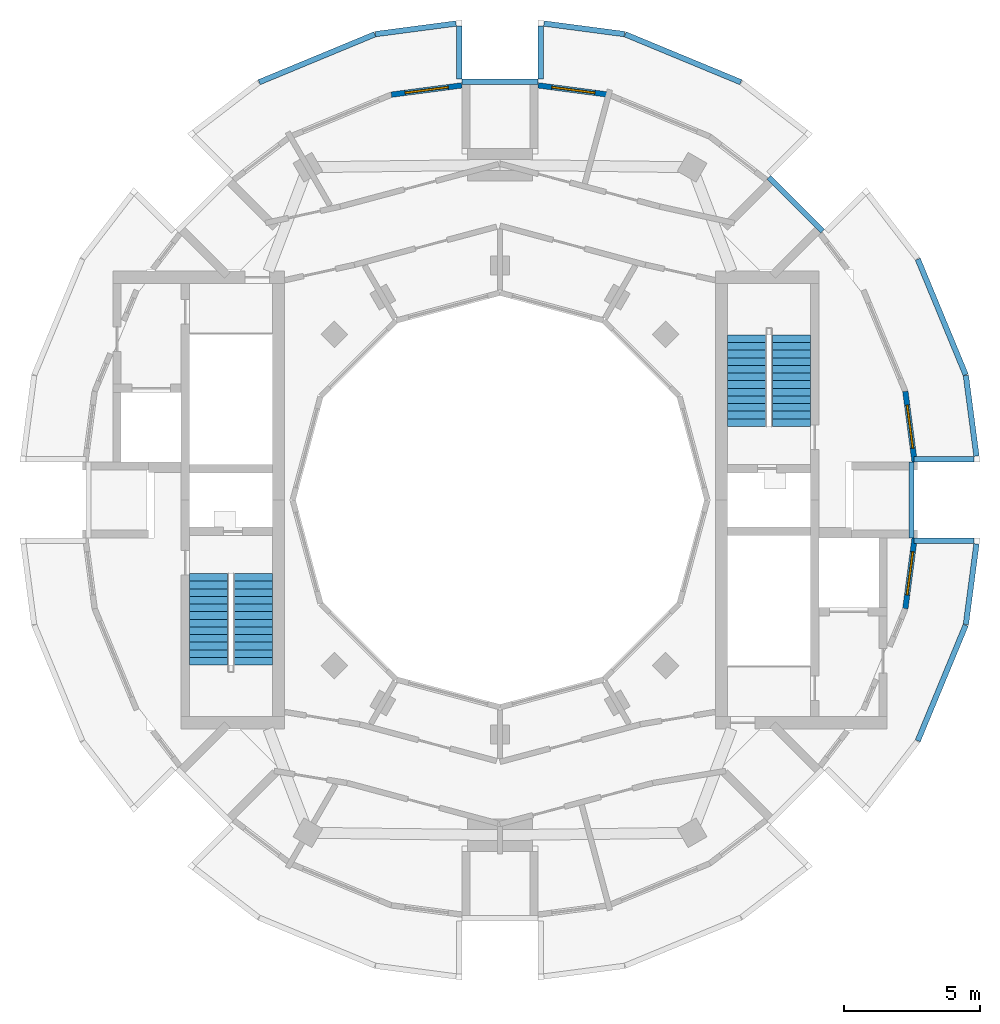
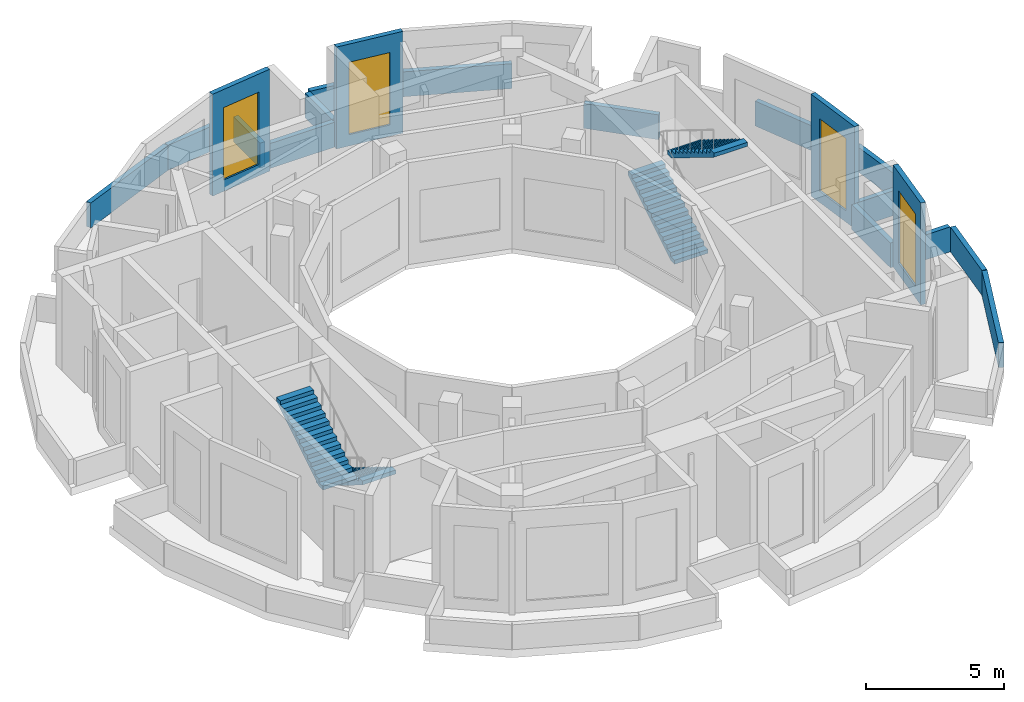
# One storey, part 6 of 7: 19 walls, 4 stair flights, 4 windows, 4 openings, 2 elements without a shape of their own.
"""IFC4 building model written with IfcOpenShell, lengths in metres."""

from ifc_helpers import new_model, si_unit, direction, frame, frame_2d, origin, place, context, subcontext, project, spatial, polyline, rectangle, outline, extrude, material, layer, layer_set, type_object, element, fill, aggregate, save


model = new_model("IFC4")

# Units and contexts
model_context = context("Model", 3, precision=1e-05, world=origin(), true_north=direction((0.0, 1.0)))
body_context = subcontext(model_context, "Body", "Model", "MODEL_VIEW")
ifc_project = project(units=[si_unit("LENGTHUNIT", "METRE"), si_unit("AREAUNIT", "SQUARE_METRE"), si_unit("VOLUMEUNIT", "CUBIC_METRE"), si_unit("PLANEANGLEUNIT", "RADIAN"), si_unit("MASSUNIT", "GRAM", prefix="KILO")], contexts=[model_context])

# Site, building, storey
site_placement = place(None, origin())
site = spatial("IfcSite", under=ifc_project, at=site_placement, CompositionType="ELEMENT")
building_placement = place(site_placement, origin())
building = spatial("IfcBuilding", under=site, at=building_placement, Name="Torre Brocal", CompositionType="ELEMENT")
storey_placement = place(building_placement, frame((0.0, 0.0, 333.10009765625)))
storey = spatial("IfcBuildingStorey", under=building, at=storey_placement, Name="L76", CompositionType="ELEMENT", Elevation=333.10009765625)

# Wall, opening, window
ifc_material_1 = material(Name="Concrete C40", Category="concrete")
ifc_layer_1 = layer(ifc_material_1, 0.199951171875)
ifc_layer_set_1 = layer_set([ifc_layer_1], Name="Concrete C40")
wall_type_1 = type_object("IfcWallType", Name="LOUVRED PLANT WALL 200", PredefinedType="NOTDEFINED", material=ifc_layer_set_1)
wall_1_placement = place(storey_placement, frame((95.21484375, 76.39990234375, 0.0), z_axis=(0.0, 0.0, 1.0), x_axis=(-0.130495678972, 0.991448878041, 0.0)))
wall_1 = element("IfcWall", 1, at=wall_1_placement, inside=storey, type_object=wall_type_1, Name="LOUVRED PLANT WALL", PredefinedType="NOTDEFINED", context=body_context, shape_type="SweptSolid", body=[
    extrude(rectangle(XDim=2.60791015625, YDim=0.199951171875, at=frame_2d((1.303955078125, 0.0))), origin(), (0.0, 0.0, 1.0), 4.5),
])
opening_1_placement = place(wall_1_placement, frame((0.50390625, 0.0, 0.5)))
opening_1 = element("IfcOpeningElement", 2, at=opening_1_placement, cuts=wall_1, Name="Opening LV-1600-3200", PredefinedType="OPENING", context=body_context, shape_type="SweptSolid", body=[
    extrude(rectangle(XDim=1.60009765625, YDim=3.199951171875, at=frame_2d((0.800048828125, 1.60009765625))), frame((0.0, 0.10986328125, 0.0), z_axis=(0.0, -1.0, 0.0), x_axis=(1.0, 0.0, 0.0)), (0.0, 0.0, 1.0), 0.219970703125),
])
ifc_material_2 = material(Name="Aluminium louvre", Category="aluminium")
window_type = type_object("IfcWindowType", Name="LOUVRE PANEL 1600X3200", PartitioningType="SINGLE_PANEL", PredefinedType="USERDEFINED", material=ifc_material_2)
window_1_placement = place(opening_1_placement, origin())
window_1 = element("IfcWindow", 3, at=window_1_placement, inside=storey, type_object=window_type, Name="LOUVRE PANEL 1600X3200", ObjectType="LOUVRE", OverallHeight=3.199951171875, OverallWidth=1.60009765625, PartitioningType="SINGLE_PANEL", PredefinedType="USERDEFINED", context=body_context, shape_type="SweptSolid", body=[
    extrude(rectangle(XDim=1.60009765625, YDim=3.199951171875, at=frame_2d((0.800048828125, 1.60009765625))), frame((0.0, 0.030029296875, 0.0), z_axis=(0.0, -1.0, 0.0), x_axis=(1.0, 0.0, 0.0)), (0.0, 0.0, 1.0), 0.06005859375),
])
fill(opening_1, window_1)

wall_2_placement = place(storey_placement, frame((83.985595703125, 89.87451171875, 0.0), z_axis=(0.0, 0.0, 1.0), x_axis=(-0.991448878041, 0.130495678972, 0.0)))
wall_2 = element("IfcWall", 4, at=wall_2_placement, inside=storey, type_object=wall_type_1, Name="LOUVRED PLANT WALL", PredefinedType="NOTDEFINED", context=body_context, shape_type="SweptSolid", body=[
    extrude(rectangle(XDim=2.60791015625, YDim=0.199951171875, at=frame_2d((1.303955078125, 0.0))), origin(), (0.0, 0.0, 1.0), 4.5),
])
opening_2_placement = place(wall_2_placement, frame((0.50390625, 0.0, 0.5)))
opening_2 = element("IfcOpeningElement", 5, at=opening_2_placement, cuts=wall_2, Name="Opening LV-1600-3200", PredefinedType="OPENING", context=body_context, shape_type="SweptSolid", body=[
    extrude(rectangle(XDim=1.60009765625, YDim=3.199951171875, at=frame_2d((0.800048828125, 1.60009765625))), frame((0.0, 0.10986328125, 0.0), z_axis=(0.0, -1.0, 0.0), x_axis=(1.0, 0.0, 0.0)), (0.0, 0.0, 1.0), 0.219970703125),
])
window_2_placement = place(opening_2_placement, origin())
window_2 = element("IfcWindow", 6, at=window_2_placement, inside=storey, type_object=window_type, Name="LOUVRE PANEL 1600X3200", ObjectType="LOUVRE", OverallHeight=3.199951171875, OverallWidth=1.60009765625, PartitioningType="SINGLE_PANEL", PredefinedType="USERDEFINED", context=body_context, shape_type="SweptSolid", body=[
    extrude(rectangle(XDim=1.60009765625, YDim=3.199951171875, at=frame_2d((0.800048828125, 1.60009765625))), frame((0.0, 0.030029296875, 0.0), z_axis=(0.0, -1.0, 0.0), x_axis=(1.0, 0.0, 0.0)), (0.0, 0.0, 1.0), 0.06005859375),
])
fill(opening_2, window_2)

wall_3_placement = place(storey_placement, frame((78.60009765625, 90.21484375, 0.0), z_axis=(0.0, 0.0, 1.0), x_axis=(-0.991448878041, -0.130495678972, 0.0)))
wall_3 = element("IfcWall", 7, at=wall_3_placement, inside=storey, type_object=wall_type_1, Name="LOUVRED PLANT WALL", PredefinedType="NOTDEFINED", context=body_context, shape_type="SweptSolid", body=[
    extrude(rectangle(XDim=2.60791015625, YDim=0.199951171875, at=frame_2d((1.303955078125, 0.0))), origin(), (0.0, 0.0, 1.0), 4.5),
])
opening_3_placement = place(wall_3_placement, frame((0.50390625, 0.0, 0.5)))
opening_3 = element("IfcOpeningElement", 8, at=opening_3_placement, cuts=wall_3, Name="Opening LV-1600-3200", PredefinedType="OPENING", context=body_context, shape_type="SweptSolid", body=[
    extrude(rectangle(XDim=1.60009765625, YDim=3.199951171875, at=frame_2d((0.800048828125, 1.60009765625))), frame((0.0, 0.10986328125, 0.0), z_axis=(0.0, -1.0, 0.0), x_axis=(1.0, 0.0, 0.0)), (0.0, 0.0, 1.0), 0.219970703125),
])
window_3_placement = place(opening_3_placement, origin())
window_3 = element("IfcWindow", 9, at=window_3_placement, inside=storey, type_object=window_type, Name="LOUVRE PANEL 1600X3200", ObjectType="LOUVRE", OverallHeight=3.199951171875, OverallWidth=1.60009765625, PartitioningType="SINGLE_PANEL", PredefinedType="USERDEFINED", context=body_context, shape_type="SweptSolid", body=[
    extrude(rectangle(XDim=1.60009765625, YDim=3.199951171875, at=frame_2d((0.800048828125, 1.60009765625))), frame((0.0, 0.030029296875, 0.0), z_axis=(0.0, -1.0, 0.0), x_axis=(1.0, 0.0, 0.0)), (0.0, 0.0, 1.0), 0.06005859375),
])
fill(opening_3, window_3)

wall_4_placement = place(storey_placement, frame((94.87451171875, 71.014404296875, 0.0), z_axis=(0.0, 0.0, 1.0), x_axis=(0.130495678972, 0.991448878041, 0.0)))
wall_4 = element("IfcWall", 10, at=wall_4_placement, inside=storey, type_object=wall_type_1, Name="LOUVRED PLANT WALL", PredefinedType="NOTDEFINED", context=body_context, shape_type="SweptSolid", body=[
    extrude(rectangle(XDim=2.60791015625, YDim=0.199951171875, at=frame_2d((1.303955078125, 0.0))), origin(), (0.0, 0.0, 1.0), 4.5),
])
opening_4_placement = place(wall_4_placement, frame((0.50390625, 0.0, 0.5)))
opening_4 = element("IfcOpeningElement", 11, at=opening_4_placement, cuts=wall_4, Name="Opening LV-1600-3200", PredefinedType="OPENING", context=body_context, shape_type="SweptSolid", body=[
    extrude(rectangle(XDim=1.60009765625, YDim=3.199951171875, at=frame_2d((0.800048828125, 1.60009765625))), frame((0.0, 0.10986328125, 0.0), z_axis=(0.0, -1.0, 0.0), x_axis=(1.0, 0.0, 0.0)), (0.0, 0.0, 1.0), 0.219970703125),
])
window_4_placement = place(opening_4_placement, origin())
window_4 = element("IfcWindow", 12, at=window_4_placement, inside=storey, type_object=window_type, Name="LOUVRE PANEL 1600X3200", ObjectType="LOUVRE", OverallHeight=3.199951171875, OverallWidth=1.60009765625, PartitioningType="SINGLE_PANEL", PredefinedType="USERDEFINED", context=body_context, shape_type="SweptSolid", body=[
    extrude(rectangle(XDim=1.60009765625, YDim=3.199951171875, at=frame_2d((0.800048828125, 1.60009765625))), frame((0.0, 0.030029296875, 0.0), z_axis=(0.0, -1.0, 0.0), x_axis=(1.0, 0.0, 0.0)), (0.0, 0.0, 1.0), 0.06005859375),
])
fill(opening_4, window_4)

# Walls
ifc_material_3 = material(Name="Concrete C40", Category="concrete")
ifc_layer_2 = layer(ifc_material_3, 0.199951171875)
ifc_layer_set_2 = layer_set([ifc_layer_2], Name="Concrete C40")
wall_type_2 = type_object("IfcWallType", Name="PARAPET WALL 200 THICK 1100 HIGH 8", PredefinedType="PARAPET", material=ifc_layer_set_2)
wall_5_placement = place(storey_placement, frame((95.33154296875, 83.83642578125, 0.0), z_axis=(0.0, 0.0, 1.0), x_axis=(0.382670986147, -0.923884687805, 0.0)))
element("IfcWall", 13, at=wall_5_placement, inside=storey, type_object=wall_type_2, Name="PARAPET WALL 1", PredefinedType="PARAPET", context=body_context, shape_type="SweptSolid", body=[
    extrude(rectangle(XDim=4.593505859375, YDim=0.199951171875, at=frame_2d((2.296875, 0.0))), origin(), (0.0, 0.0, 1.0), 1.099853515625),
])
wall_6_placement = place(storey_placement, frame((97.09619140625, 79.5673828125, 0.0), z_axis=(0.0, 0.0, 1.0), x_axis=(0.130515974463, -0.991446206513, 0.0)))
element("IfcWall", 14, at=wall_6_placement, inside=storey, type_object=wall_type_2, Name="PARAPET WALL 2", PredefinedType="PARAPET", context=body_context, shape_type="SweptSolid", body=[
    extrude(rectangle(XDim=2.979736328125, YDim=0.199951171875, at=frame_2d((1.48974609375, 0.0))), origin(), (0.0, 0.0, 1.0), 1.099853515625),
])
wall_7_placement = place(storey_placement, frame((97.385986328125, 76.5, 0.0), z_axis=(0.0, 0.0, 1.0), x_axis=(-1.0, 0.0, 0.0)))
element("IfcWall", 15, at=wall_7_placement, inside=storey, type_object=wall_type_2, Name="PARAPET WALL 3", PredefinedType="PARAPET", context=body_context, shape_type="SweptSolid", body=[
    extrude(rectangle(XDim=2.18603515625, YDim=0.199951171875, at=frame_2d((1.093017578125, 0.0))), origin(), (0.0, 0.0, 1.0), 1.099853515625),
])
wall_8_placement = place(storey_placement, frame((95.10009765625, 76.39990234375, 0.0), z_axis=(0.0, 0.0, 1.0), x_axis=(0.0, -1.0, 0.0)))
element("IfcWall", 16, at=wall_8_placement, inside=storey, type_object=wall_type_2, Name="PARAPET WALL 4", PredefinedType="PARAPET", context=body_context, shape_type="SweptSolid", body=[
    extrude(rectangle(XDim=2.7998046875, YDim=0.199951171875, at=frame_2d((1.39990234375, 0.0))), origin(), (0.0, 0.0, 1.0), 1.099853515625),
])
wall_9_placement = place(storey_placement, frame((95.199951171875, 73.5, 0.0), z_axis=(0.0, 0.0, 1.0), x_axis=(1.0, 0.0, 0.0)))
element("IfcWall", 17, at=wall_9_placement, inside=storey, type_object=wall_type_2, Name="PARAPET WALL 5", PredefinedType="PARAPET", context=body_context, shape_type="SweptSolid", body=[
    extrude(rectangle(XDim=2.18603515625, YDim=0.199951171875, at=frame_2d((1.093017578125, 0.0))), origin(), (0.0, 0.0, 1.0), 1.099853515625),
])
wall_10_placement = place(storey_placement, frame((97.485107421875, 73.386962890625, 0.0), z_axis=(0.0, 0.0, 1.0), x_axis=(-0.130515974463, -0.991446206513, 0.0)))
element("IfcWall", 18, at=wall_10_placement, inside=storey, type_object=wall_type_2, Name="PARAPET WALL 6", PredefinedType="PARAPET", context=body_context, shape_type="SweptSolid", body=[
    extrude(rectangle(XDim=2.979736328125, YDim=0.199951171875, at=frame_2d((1.48974609375, 0.0))), origin(), (0.0, 0.0, 1.0), 1.099853515625),
])
for number, where, z_axis, x_axis, name in (
    (19, (97.08935546875, 70.407470703125, 0.0), (0.0, 0.0, 1.0), (-0.382670986147, -0.923884687805, 0.0), "PARAPET WALL 7"),
    (20, (71.16357421875, 90.33154296875, 0.0), (0.0, 0.0, 1.0), (0.923884687805, 0.382670986147, 0.0), "PARAPET WALL 37"),
):
    element("IfcWall", number, at=place(storey_placement, frame(where, z_axis=z_axis, x_axis=x_axis)), inside=storey, type_object=wall_type_2, Name=name, PredefinedType="PARAPET", context=body_context, shape_type="SweptSolid", body=[
        extrude(rectangle(XDim=4.593505859375, YDim=0.199951171875, at=frame_2d((2.296875, 0.0))), origin(), (0.0, 0.0, 1.0), 1.099853515625),
    ])
wall_11_placement = place(storey_placement, frame((75.4326171875, 92.09619140625, 0.0), z_axis=(0.0, 0.0, 1.0), x_axis=(0.991446206513, 0.130515974463, 0.0)))
element("IfcWall", 21, at=wall_11_placement, inside=storey, type_object=wall_type_2, Name="PARAPET WALL 38", PredefinedType="PARAPET", context=body_context, shape_type="SweptSolid", body=[
    extrude(rectangle(XDim=2.979736328125, YDim=0.199951171875, at=frame_2d((1.48974609375, 0.0))), origin(), (0.0, 0.0, 1.0), 1.099853515625),
])
wall_12_placement = place(storey_placement, frame((78.5, 92.385986328125, 0.0), z_axis=(0.0, 0.0, 1.0), x_axis=(0.0, -1.0, 0.0)))
element("IfcWall", 22, at=wall_12_placement, inside=storey, type_object=wall_type_2, Name="PARAPET WALL 39", PredefinedType="PARAPET", context=body_context, shape_type="SweptSolid", body=[
    extrude(rectangle(XDim=1.93603515625, YDim=0.199951171875, at=frame_2d((0.968017578125, 0.0))), origin(), (0.0, 0.0, 1.0), 1.099853515625),
])
wall_13_placement = place(storey_placement, frame((78.60009765625, 90.35009765625, 0.0), z_axis=(0.0, 0.0, 1.0), x_axis=(1.0, 0.0, 0.0)))
element("IfcWall", 23, at=wall_13_placement, inside=storey, type_object=wall_type_2, Name="PARAPET WALL 40", PredefinedType="PARAPET", context=body_context, shape_type="SweptSolid", body=[
    extrude(rectangle(XDim=2.7998046875, YDim=0.199951171875, at=frame_2d((1.39990234375, 0.0))), origin(), (0.0, 0.0, 1.0), 1.099853515625),
])
wall_14_placement = place(storey_placement, frame((81.5, 90.449951171875, 0.0), z_axis=(0.0, 0.0, 1.0), x_axis=(0.0, 1.0, 0.0)))
element("IfcWall", 24, at=wall_14_placement, inside=storey, type_object=wall_type_2, Name="PARAPET WALL 41", PredefinedType="PARAPET", context=body_context, shape_type="SweptSolid", body=[
    extrude(rectangle(XDim=1.93603515625, YDim=0.199951171875, at=frame_2d((0.968017578125, 0.0))), origin(), (0.0, 0.0, 1.0), 1.099853515625),
])
wall_15_placement = place(storey_placement, frame((81.613037109375, 92.485107421875, 0.0), z_axis=(0.0, 0.0, 1.0), x_axis=(0.991446206513, -0.130515974463, 0.0)))
element("IfcWall", 25, at=wall_15_placement, inside=storey, type_object=wall_type_2, Name="PARAPET WALL 42", PredefinedType="PARAPET", context=body_context, shape_type="SweptSolid", body=[
    extrude(rectangle(XDim=2.979736328125, YDim=0.199951171875, at=frame_2d((1.48974609375, 0.0))), origin(), (0.0, 0.0, 1.0), 1.099853515625),
])
wall_16_placement = place(storey_placement, frame((84.592529296875, 92.08935546875, 0.0), z_axis=(0.0, 0.0, 1.0), x_axis=(0.923884687805, -0.382670986147, 0.0)))
element("IfcWall", 26, at=wall_16_placement, inside=storey, type_object=wall_type_2, Name="PARAPET WALL 43", PredefinedType="PARAPET", context=body_context, shape_type="SweptSolid", body=[
    extrude(rectangle(XDim=4.593505859375, YDim=0.199951171875, at=frame_2d((2.296875, 0.0))), origin(), (0.0, 0.0, 1.0), 1.099853515625),
])
wall_17_placement = place(storey_placement, frame((89.8642578125, 86.843994140625, 0.0), z_axis=(0.0, 0.0, 1.0), x_axis=(0.707106781187, -0.707106781187, 0.0)))
element("IfcWall", 27, at=wall_17_placement, inside=storey, type_object=wall_type_2, Name="PARAPET WALL 46", PredefinedType="PARAPET", context=body_context, shape_type="SweptSolid", body=[
    extrude(rectangle(XDim=2.7998046875, YDim=0.199951171875, at=frame_2d((1.39990234375, 0.0))), origin(), (0.0, 0.0, 1.0), 1.099853515625),
])

# Stair, stair flights
ifc_material_4 = material(Name="Concrete C50", Category="concrete")
stair_type = type_object("IfcStairType", Name="EXIT STAIR", PredefinedType="HALF_TURN_STAIR", material=ifc_material_4)
stair_1_placement = place(storey_placement, origin())
stair_1 = element("IfcStair", 28, at=stair_1_placement, inside=storey, type_object=stair_type, Name="EXIT STAIR ST1", PredefinedType="HALF_TURN_STAIR")
ifc_material_5 = material(Name="Concrete C50", Category="concrete")
ifc_layer_3 = layer(ifc_material_5, 0.14990234375)
ifc_layer_set_3 = layer_set([ifc_layer_3], Name="Concrete C50")
stair_flight_type = type_object("IfcStairFlightType", Name="STAIR FLIGHT", PredefinedType="STRAIGHT", material=ifc_layer_set_3)
stair_flight_1_placement = place(storey_placement, frame((89.050048828125, 77.699951171875, 0.0), z_axis=(0.0, 0.0, 1.0), x_axis=(0.0, 1.0, 0.0)))
stair_flight_1 = element("IfcStairFlight", 29, at=stair_flight_1_placement, type_object=stair_flight_type, Name="ST1 flight 1", NumberOfRisers=13, NumberOfTreads=12, PredefinedType="STRAIGHT", RiserHeight=0.173076923, TreadLength=0.28, context=body_context, shape_type="SweptSolid", body=[
    extrude(outline(polyline([(0.0, 0.0), (0.0, 0.173095703125), (0.280029296875, 0.173095703125), (0.280029296875, 0.34619140625), (0.56005859375, 0.34619140625), (0.56005859375, 0.519287109375), (0.840087890625, 0.519287109375), (0.840087890625, 0.6923828125), (1.1201171875, 0.6923828125), (1.1201171875, 0.865478515625), (1.39990234375, 0.865478515625), (1.39990234375, 1.03857421875), (1.679931640625, 1.03857421875), (1.679931640625, 1.21142578125), (1.9599609375, 1.21142578125), (1.9599609375, 1.384521484375), (2.239990234375, 1.384521484375), (2.239990234375, 1.5576171875), (2.52001953125, 1.5576171875), (2.52001953125, 1.730712890625), (2.800048828125, 1.730712890625), (2.800048828125, 1.90380859375), (3.080078125, 1.90380859375), (3.080078125, 2.076904296875), (3.360107421875, 2.076904296875), (3.360107421875, 2.25), (3.360107421875, 1.900634765625), (0.28515625, 0.0), (0.0, 0.0)])), frame((0.0, 0.699951171875, 0.0), z_axis=(0.0, -1.0, 0.0), x_axis=(1.0, 0.0, 0.0)), (0.0, 0.0, 1.0), 1.39990234375),
])
stair_flight_2_placement = place(storey_placement, frame((90.699951171875, 81.06005859375, 2.25), z_axis=(0.0, 0.0, 1.0), x_axis=(0.0, -1.0, 0.0)))
stair_flight_2 = element("IfcStairFlight", 30, at=stair_flight_2_placement, type_object=stair_flight_type, Name="ST1 flight 2", NumberOfRisers=13, NumberOfTreads=12, PredefinedType="STRAIGHT", RiserHeight=0.173076923, TreadLength=0.28, context=body_context, shape_type="SweptSolid", body=[
    extrude(outline(polyline([(0.0, 0.0), (0.0, 0.173095703125), (0.280029296875, 0.173095703125), (0.280029296875, 0.34619140625), (0.56005859375, 0.34619140625), (0.56005859375, 0.519287109375), (0.840087890625, 0.519287109375), (0.840087890625, 0.6923828125), (1.1201171875, 0.6923828125), (1.1201171875, 0.865478515625), (1.39990234375, 0.865478515625), (1.39990234375, 1.03857421875), (1.679931640625, 1.03857421875), (1.679931640625, 1.21142578125), (1.9599609375, 1.21142578125), (1.9599609375, 1.384521484375), (2.239990234375, 1.384521484375), (2.239990234375, 1.5576171875), (2.52001953125, 1.5576171875), (2.52001953125, 1.730712890625), (2.800048828125, 1.730712890625), (2.800048828125, 1.90380859375), (3.080078125, 1.90380859375), (3.080078125, 2.076904296875), (3.360107421875, 2.076904296875), (3.360107421875, 2.25), (3.360107421875, 1.900634765625), (0.28515625, 0.0), (0.0, 0.0)])), frame((0.0, 0.699951171875, 0.0), z_axis=(0.0, -1.0, 0.0), x_axis=(1.0, 0.0, 0.0)), (0.0, 0.0, 1.0), 1.39990234375),
])
aggregate(stair_1, [stair_flight_1, stair_flight_2])

stair_2_placement = place(storey_placement, origin())
stair_2 = element("IfcStair", 31, at=stair_2_placement, inside=storey, type_object=stair_type, Name="EXIT STAIR ST3", PredefinedType="HALF_TURN_STAIR")
stair_flight_3_placement = place(storey_placement, frame((70.949951171875, 72.300048828125, 0.0), z_axis=(0.0, 0.0, 1.0), x_axis=(0.0, -1.0, 0.0)))
stair_flight_3 = element("IfcStairFlight", 32, at=stair_flight_3_placement, type_object=stair_flight_type, Name="ST3 flight 1", NumberOfRisers=13, NumberOfTreads=12, PredefinedType="STRAIGHT", RiserHeight=0.173076923, TreadLength=0.28, context=body_context, shape_type="SweptSolid", body=[
    extrude(outline(polyline([(0.0, 0.0), (0.0, 0.173095703125), (0.280029296875, 0.173095703125), (0.280029296875, 0.34619140625), (0.56005859375, 0.34619140625), (0.56005859375, 0.519287109375), (0.840087890625, 0.519287109375), (0.840087890625, 0.6923828125), (1.1201171875, 0.6923828125), (1.1201171875, 0.865478515625), (1.39990234375, 0.865478515625), (1.39990234375, 1.03857421875), (1.679931640625, 1.03857421875), (1.679931640625, 1.21142578125), (1.9599609375, 1.21142578125), (1.9599609375, 1.384521484375), (2.239990234375, 1.384521484375), (2.239990234375, 1.5576171875), (2.52001953125, 1.5576171875), (2.52001953125, 1.730712890625), (2.800048828125, 1.730712890625), (2.800048828125, 1.90380859375), (3.080078125, 1.90380859375), (3.080078125, 2.076904296875), (3.360107421875, 2.076904296875), (3.360107421875, 2.25), (3.360107421875, 1.900634765625), (0.28515625, 0.0), (0.0, 0.0)])), frame((0.0, 0.699951171875, 0.0), z_axis=(0.0, -1.0, 0.0), x_axis=(1.0, 0.0, 0.0)), (0.0, 0.0, 1.0), 1.39990234375),
])
stair_flight_4_placement = place(storey_placement, frame((69.300048828125, 68.93994140625, 2.25), z_axis=(0.0, 0.0, 1.0), x_axis=(0.0, 1.0, 0.0)))
stair_flight_4 = element("IfcStairFlight", 33, at=stair_flight_4_placement, type_object=stair_flight_type, Name="ST3 flight 2", NumberOfRisers=13, NumberOfTreads=12, PredefinedType="STRAIGHT", RiserHeight=0.173076923, TreadLength=0.28, context=body_context, shape_type="SweptSolid", body=[
    extrude(outline(polyline([(0.0, 0.0), (0.0, 0.173095703125), (0.280029296875, 0.173095703125), (0.280029296875, 0.34619140625), (0.56005859375, 0.34619140625), (0.56005859375, 0.519287109375), (0.840087890625, 0.519287109375), (0.840087890625, 0.6923828125), (1.1201171875, 0.6923828125), (1.1201171875, 0.865478515625), (1.39990234375, 0.865478515625), (1.39990234375, 1.03857421875), (1.679931640625, 1.03857421875), (1.679931640625, 1.21142578125), (1.9599609375, 1.21142578125), (1.9599609375, 1.384521484375), (2.239990234375, 1.384521484375), (2.239990234375, 1.5576171875), (2.52001953125, 1.5576171875), (2.52001953125, 1.730712890625), (2.800048828125, 1.730712890625), (2.800048828125, 1.90380859375), (3.080078125, 1.90380859375), (3.080078125, 2.076904296875), (3.360107421875, 2.076904296875), (3.360107421875, 2.25), (3.360107421875, 1.900634765625), (0.28515625, 0.0), (0.0, 0.0)])), frame((0.0, 0.699951171875, 0.0), z_axis=(0.0, -1.0, 0.0), x_axis=(1.0, 0.0, 0.0)), (0.0, 0.0, 1.0), 1.39990234375),
])
aggregate(stair_2, [stair_flight_3, stair_flight_4])

save(model, "model.ifc")
